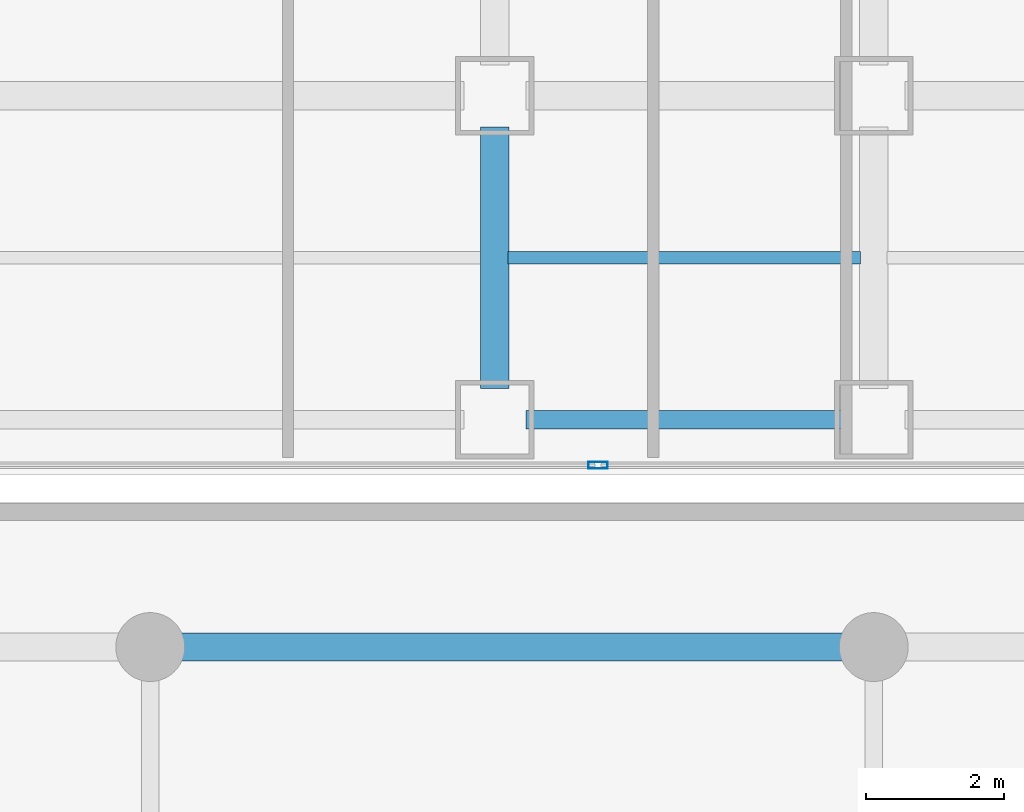
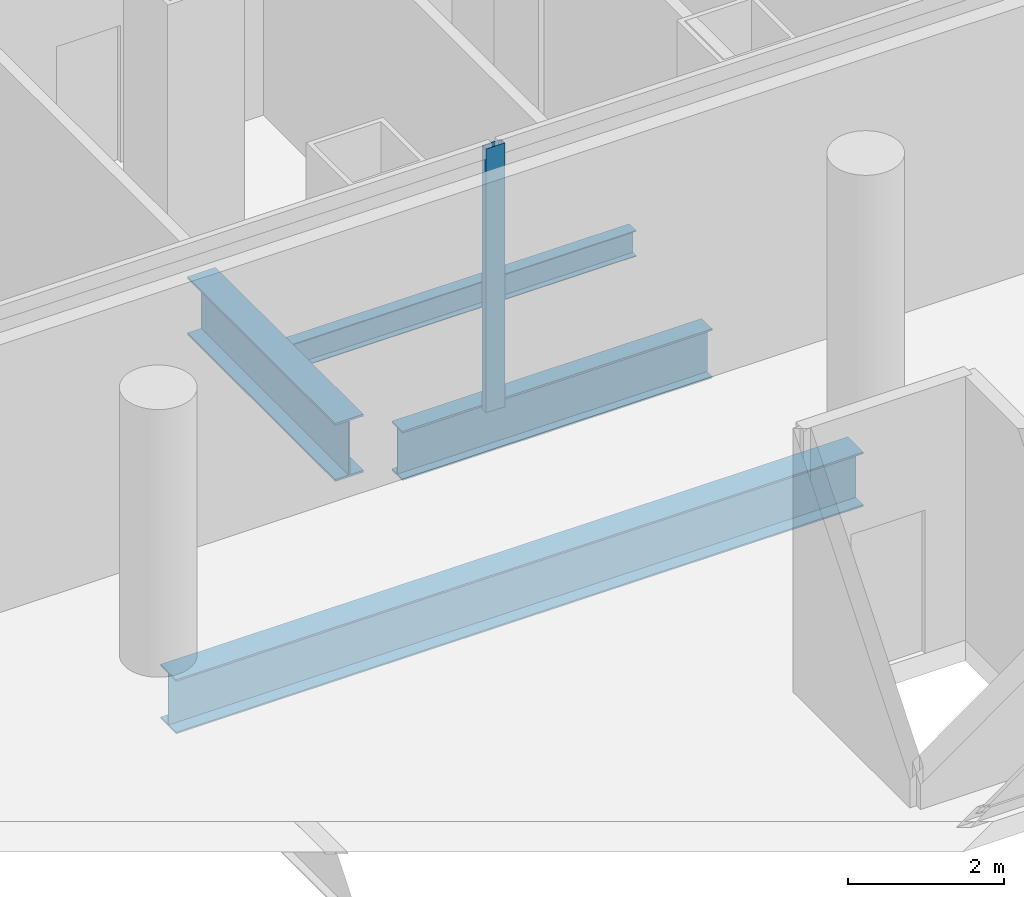
# One storey, part 8 of 28: 4 beams, 1 member, 1 element without a shape of its own.
"""IFC4 building model written with IfcOpenShell, lengths in metres."""

from ifc_helpers import new_model, si_unit, direction, frame, origin, origin_2d, place, context, subcontext, project, spatial, hollow_rectangle, i_section, extrude, source, transform, mapped, material, layer, layer_set, material_profile, profile_set, type_object, element, aggregate, save


model = new_model("IFC4")

# Units and contexts
model_context = context("Model", 3, precision=1e-05, world=origin(), true_north=direction((0.0, 1.0)))
body_context = subcontext(model_context, "Body", "Model", "MODEL_VIEW")
ifc_project = project(units=[si_unit("LENGTHUNIT", "METRE"), si_unit("AREAUNIT", "SQUARE_METRE"), si_unit("VOLUMEUNIT", "CUBIC_METRE"), si_unit("PLANEANGLEUNIT", "RADIAN"), si_unit("MASSUNIT", "GRAM", prefix="KILO")], contexts=[model_context])

# Site, building, storey
site_placement = place(None, origin())
site = spatial("IfcSite", under=ifc_project, at=site_placement, CompositionType="ELEMENT")
building_placement = place(site_placement, origin())
building = spatial("IfcBuilding", under=site, at=building_placement, Name="Kolveth Station Tower", CompositionType="ELEMENT")
storey_placement = place(building_placement, frame((0.0, 0.0, 18.0)))
storey = spatial("IfcBuildingStorey", under=building, at=storey_placement, Name="L04", CompositionType="ELEMENT", Elevation=18.0)

# Beams
ifc_material_1 = material(Name="Steel S355", Category="steel")
ifc_material_profile_1 = material_profile(ifc_material_1, i_section(OverallWidth=0.26904296875, OverallDepth=0.77490234375, WebThickness=0.01708984375, FlangeThickness=0.0283203125, at=origin_2d()), Name="W760x220")
ifc_profile_set_1 = profile_set([ifc_material_profile_1], Name="Steel S355")
beam_type_1 = type_object("IfcBeamType", Name="Beam_SP1", PredefinedType="SPANDREL", material=ifc_profile_set_1)
shared_shape_1 = source(origin(), body_context, "Body", "SweptSolid", [
    extrude(i_section(OverallWidth=0.26904296875, OverallDepth=0.77490234375, WebThickness=0.01708984375, FlangeThickness=0.0283203125, at=origin_2d()), origin(), (0.0, 0.0, 1.0), 4.60009765625),
])
beam_1_placement = place(storey_placement, frame((28.949951171875, 0.800048828125, -0.70751953125), z_axis=(1.0, 0.0, 0.0), x_axis=(0.0, 1.0, 0.0)))
element("IfcBeam", 1, at=beam_1_placement, inside=storey, type_object=beam_type_1, Name="L04 Perimeter Spandrel BM-L04-PS-4", PredefinedType="SPANDREL", context=body_context, shape_type="MappedRepresentation", body=[
    mapped(shared_shape_1, transform((0.0, 0.0, 0.0), x_axis=(1.0, 0.0, 0.0), y_axis=(0.0, 1.0, 0.0), z_axis=(0.0, 0.0, 1.0), scale=1.0)),
])
ifc_material_profile_2 = material_profile(ifc_material_1, i_section(OverallWidth=0.41796875, OverallDepth=0.912109375, WebThickness=0.019287109375, FlangeThickness=0.031982421875, at=origin_2d()), Name="W920x342")
ifc_profile_set_2 = profile_set([ifc_material_profile_2], Name="Steel S355")
beam_type_2 = type_object("IfcBeamType", Name="Beam_B1", PredefinedType="BEAM", material=ifc_profile_set_2)
shared_shape_2 = source(origin(), body_context, "Body", "SweptSolid", [
    extrude(i_section(OverallWidth=0.41796875, OverallDepth=0.912109375, WebThickness=0.019287109375, FlangeThickness=0.031982421875, at=origin_2d()), origin(), (0.0, 0.0, 1.0), 3.800048828125),
])
beam_2_placement = place(storey_placement, frame((28.5, 1.25, -0.77587890625), z_axis=(0.0, 1.0, 0.0), x_axis=(-1.0, 0.0, 0.0)))
element("IfcBeam", 2, at=beam_2_placement, inside=storey, type_object=beam_type_2, Name="L04 Primary Girder BM-L04-GX285-1", PredefinedType="BEAM", context=body_context, shape_type="MappedRepresentation", body=[
    mapped(shared_shape_2, transform((0.0, 0.0, 0.0), x_axis=(1.0, 0.0, 0.0), y_axis=(0.0, 1.0, 0.0), z_axis=(0.0, 0.0, 1.0), scale=1.0)),
])
ifc_material_profile_3 = material_profile(ifc_material_1, i_section(OverallWidth=0.177978515625, OverallDepth=0.406982421875, WebThickness=0.0078125, FlangeThickness=0.0126953125, at=origin_2d()), Name="W410x60")
ifc_profile_set_3 = profile_set([ifc_material_profile_3], Name="Steel S355")
beam_type_3 = type_object("IfcBeamType", Name="Beam_J1", PredefinedType="JOIST", material=ifc_profile_set_3)
shared_shape_3 = source(origin(), body_context, "Body", "SweptSolid", [
    extrude(i_section(OverallWidth=0.177978515625, OverallDepth=0.406982421875, WebThickness=0.0078125, FlangeThickness=0.0126953125, at=origin_2d()), origin(), (0.0, 0.0, 1.0), 5.10986328125),
])
beam_3_placement = place(storey_placement, frame((28.695068359375, 3.14990234375, -0.5234375), z_axis=(1.0, 0.0, 0.0), x_axis=(0.0, 1.0, 0.0)))
element("IfcBeam", 3, at=beam_3_placement, inside=storey, type_object=beam_type_3, Name="L04 Secondary Joist JST-L04-5-1", PredefinedType="JOIST", context=body_context, shape_type="MappedRepresentation", body=[
    mapped(shared_shape_3, transform((0.0, 0.0, 0.0), x_axis=(1.0, 0.0, 0.0), y_axis=(0.0, 1.0, 0.0), z_axis=(0.0, 0.0, 1.0), scale=1.0)),
])
ifc_material_profile_4 = material_profile(ifc_material_1, i_section(OverallWidth=0.40087890625, OverallDepth=0.85107421875, WebThickness=0.01611328125, FlangeThickness=0.025390625, at=origin_2d()), Name="W840x226")
ifc_profile_set_4 = profile_set([ifc_material_profile_4], Name="Steel S355")
beam_type_4 = type_object("IfcBeamType", Name="Beam_B2", PredefinedType="BEAM", material=ifc_profile_set_4)
shared_shape_4 = source(origin(), body_context, "Body", "SweptSolid", [
    extrude(i_section(OverallWidth=0.40087890625, OverallDepth=0.85107421875, WebThickness=0.01611328125, FlangeThickness=0.025390625, at=origin_2d()), origin(), (0.0, 0.0, 1.0), 10.2001953125),
])
beam_4_placement = place(storey_placement, frame((23.64990234375, -2.5, -0.74560546875), z_axis=(1.0, 0.0, 0.0), x_axis=(0.0, 1.0, 0.0)))
element("IfcBeam", 4, at=beam_4_placement, inside=storey, type_object=beam_type_4, Name="L04 Station Concourse Girder SBM-L04-SL2-3", PredefinedType="BEAM", context=body_context, shape_type="MappedRepresentation", body=[
    mapped(shared_shape_4, transform((0.0, 0.0, 0.0), x_axis=(1.0, 0.0, 0.0), y_axis=(0.0, 1.0, 0.0), z_axis=(0.0, 0.0, 1.0), scale=1.0)),
])

# Curtain wall, member
ifc_material_2 = material(Name="Black anodized aluminium 6063-T6 and clear station glass", Category="aluminium")
ifc_layer = layer(ifc_material_2, 0.239990234375)
ifc_layer_set = layer_set([ifc_layer], Name="Black anodized aluminium 6063-T6 and clear station glass")
curtain_wall_type = type_object("IfcCurtainWallType", Name="CurtainWall_CW-ST", PredefinedType="NOTDEFINED", material=ifc_layer_set)
curtain_wall_placement = place(storey_placement, origin())
curtain_wall = element("IfcCurtainWall", 5, at=curtain_wall_placement, inside=storey, type_object=curtain_wall_type, Name="L04 Tower Podium South Storefront Curtain Wall", PredefinedType="NOTDEFINED")
ifc_material_3 = material(Name="Black anodized aluminium 6063-T6", Category="aluminium")
ifc_material_profile_5 = material_profile(ifc_material_3, hollow_rectangle(XDim=0.10009765625, YDim=0.280029296875, WallThickness=0.0048828125, at=origin_2d()), Name="ALU-100x280x5")
ifc_profile_set_5 = profile_set([ifc_material_profile_5], Name="Black anodized aluminium 6063-T6")
member_type = type_object("IfcMemberType", Name="Mullion_ML-ST", PredefinedType="MULLION", material=ifc_profile_set_5)
shared_shape_5 = source(origin(), body_context, "Body", "SweptSolid", [
    extrude(hollow_rectangle(XDim=0.10009765625, YDim=0.280029296875, WallThickness=0.0048828125, at=origin_2d()), origin(), (0.0, 0.0, 1.0), 4.139892578125),
])
member_placement = place(storey_placement, frame((30.0, 0.139892578125, 0.0), z_axis=(0.0, 0.0, 1.0), x_axis=(0.0, 1.0, 0.0)))
member = element("IfcMember", 6, at=member_placement, type_object=member_type, Name="CW-ST mullion 3", PredefinedType="MULLION", context=body_context, shape_type="MappedRepresentation", body=[
    mapped(shared_shape_5, transform((0.0, 0.0, 0.0), x_axis=(1.0, 0.0, 0.0), y_axis=(0.0, 1.0, 0.0), z_axis=(0.0, 0.0, 1.0), scale=1.0)),
])
aggregate(curtain_wall, [member])

save(model, "model.ifc")
